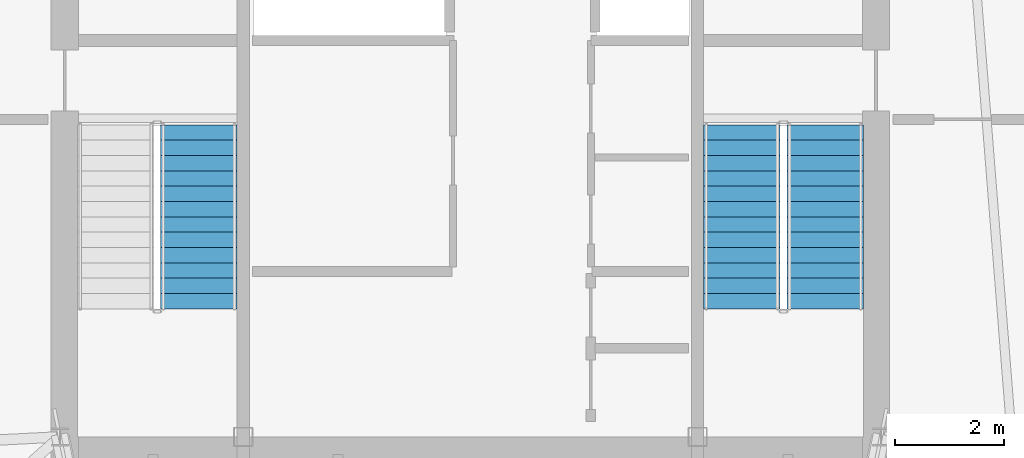
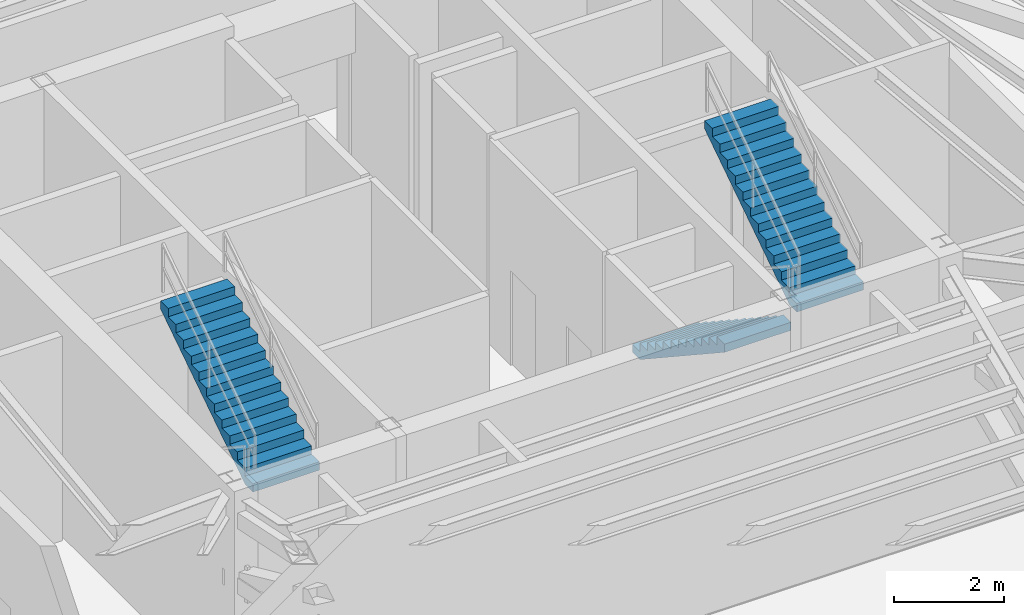
# One storey, part 7 of 10: 3 stair flights, 2 elements without a shape of their own.
"""IFC4 building model written with IfcOpenShell, lengths in metres."""

from ifc_helpers import new_model, si_unit, direction, frame, origin, place, context, subcontext, project, spatial, polyline, outline, extrude, material, type_object, element, aggregate, save


model = new_model("IFC4")

# Units and contexts
model_context = context("Model", 3, precision=1e-05, world=origin(), true_north=direction((0.0, 1.0)))
body_context = subcontext(model_context, "Body", "Model", "MODEL_VIEW")
ifc_project = project(units=[si_unit("LENGTHUNIT", "METRE"), si_unit("AREAUNIT", "SQUARE_METRE"), si_unit("VOLUMEUNIT", "CUBIC_METRE"), si_unit("PLANEANGLEUNIT", "RADIAN"), si_unit("MASSUNIT", "GRAM", prefix="KILO")], contexts=[model_context])

# Site, building, storey
site_placement = place(None, origin())
site = spatial("IfcSite", under=ifc_project, at=site_placement, CompositionType="ELEMENT")
building_placement = place(site_placement, origin())
building = spatial("IfcBuilding", under=site, at=building_placement, Name="Caelisora Broadcast Tower", CompositionType="ELEMENT")
storey_placement = place(building_placement, frame((0.0, 0.0, 220.550048828125)))
storey = spatial("IfcBuildingStorey", under=building, at=storey_placement, Name="L58", CompositionType="ELEMENT", Elevation=220.550048828125)

# Stair, stair flight
ifc_material = material(Name="Concrete 40 MPa (AS 3600 N40)", Category="concrete")
stair_type_1 = type_object("IfcStairType", Name="ST-1", PredefinedType="HALF_TURN_STAIR", material=ifc_material)
stair_1_placement = place(storey_placement, origin())
stair_1 = element("IfcStair", 1, at=stair_1_placement, inside=storey, type_object=stair_type_1, Name="L58 West Fire-Isolated Tower Stair", PredefinedType="HALF_TURN_STAIR")
stair_flight_type = type_object("IfcStairFlightType", Name="STF-3", PredefinedType="STRAIGHT", material=ifc_material)
stair_flight_1_placement = place(storey_placement, frame((33.0400390625, 19.739990234375, 2.39990234375), z_axis=(0.0, 0.0, 1.0), x_axis=(0.0, 1.0, 0.0)))
stair_flight_1 = element("IfcStairFlight", 2, at=stair_flight_1_placement, type_object=stair_flight_type, Name="ST-1 flight 2", NumberOfRisers=13, NumberOfTreads=12, PredefinedType="STRAIGHT", RiserHeight=0.184615385, TreadLength=0.28, context=body_context, shape_type="SweptSolid", body=[
    extrude(outline(polyline([(0.0, 0.0), (0.0, 0.1845703125), (0.280029296875, 0.1845703125), (0.280029296875, 0.369140625), (0.56005859375, 0.369140625), (0.56005859375, 0.553955078125), (0.840087890625, 0.553955078125), (0.840087890625, 0.738525390625), (1.1201171875, 0.738525390625), (1.1201171875, 0.923095703125), (1.39990234375, 0.923095703125), (1.39990234375, 1.107666015625), (1.679931640625, 1.107666015625), (1.679931640625, 1.292236328125), (1.9599609375, 1.292236328125), (1.9599609375, 1.476806640625), (2.239990234375, 1.476806640625), (2.239990234375, 1.66162109375), (2.52001953125, 1.66162109375), (2.52001953125, 1.84619140625), (2.800048828125, 1.84619140625), (2.800048828125, 2.03076171875), (3.080078125, 2.03076171875), (3.080078125, 2.21533203125), (3.360107421875, 2.21533203125), (3.360107421875, 2.39990234375), (3.360107421875, 2.035888671875), (0.272216796875, 0.0), (0.0, 0.0)])), frame((0.0, 0.699951171875, 0.0), z_axis=(0.0, -1.0, 0.0), x_axis=(1.0, 0.0, 0.0)), (0.0, 0.0, 1.0), 1.39990234375),
])
aggregate(stair_1, [stair_flight_1])

# Stair, stair flights
stair_type_2 = type_object("IfcStairType", Name="ST-2", PredefinedType="HALF_TURN_STAIR", material=ifc_material)
stair_2_placement = place(storey_placement, origin())
stair_2 = element("IfcStair", 3, at=stair_2_placement, inside=storey, type_object=stair_type_2, Name="L58 East Fire-Isolated Tower Stair", PredefinedType="HALF_TURN_STAIR")
stair_flight_2_placement = place(storey_placement, frame((42.9599609375, 23.10009765625, 0.0), z_axis=(0.0, 0.0, 1.0), x_axis=(0.0, -1.0, 0.0)))
stair_flight_2 = element("IfcStairFlight", 4, at=stair_flight_2_placement, type_object=stair_flight_type, Name="ST-2 flight 1", NumberOfRisers=13, NumberOfTreads=12, PredefinedType="STRAIGHT", RiserHeight=0.184615385, TreadLength=0.28, context=body_context, shape_type="SweptSolid", body=[
    extrude(outline(polyline([(0.0, 0.0), (0.0, 0.1845703125), (0.280029296875, 0.1845703125), (0.280029296875, 0.369140625), (0.56005859375, 0.369140625), (0.56005859375, 0.553955078125), (0.840087890625, 0.553955078125), (0.840087890625, 0.738525390625), (1.1201171875, 0.738525390625), (1.1201171875, 0.923095703125), (1.39990234375, 0.923095703125), (1.39990234375, 1.107666015625), (1.679931640625, 1.107666015625), (1.679931640625, 1.292236328125), (1.9599609375, 1.292236328125), (1.9599609375, 1.476806640625), (2.239990234375, 1.476806640625), (2.239990234375, 1.66162109375), (2.52001953125, 1.66162109375), (2.52001953125, 1.84619140625), (2.800048828125, 1.84619140625), (2.800048828125, 2.03076171875), (3.080078125, 2.03076171875), (3.080078125, 2.21533203125), (3.360107421875, 2.21533203125), (3.360107421875, 2.39990234375), (3.360107421875, 2.035888671875), (0.272216796875, 0.0), (0.0, 0.0)])), frame((0.0, 0.699951171875, 0.0), z_axis=(0.0, -1.0, 0.0), x_axis=(1.0, 0.0, 0.0)), (0.0, 0.0, 1.0), 1.39990234375),
])
stair_flight_3_placement = place(storey_placement, frame((44.47998046875, 19.739990234375, 2.39990234375), z_axis=(0.0, 0.0, 1.0), x_axis=(0.0, 1.0, 0.0)))
stair_flight_3 = element("IfcStairFlight", 5, at=stair_flight_3_placement, type_object=stair_flight_type, Name="ST-2 flight 2", NumberOfRisers=13, NumberOfTreads=12, PredefinedType="STRAIGHT", RiserHeight=0.184615385, TreadLength=0.28, context=body_context, shape_type="SweptSolid", body=[
    extrude(outline(polyline([(0.0, 0.0), (0.0, 0.1845703125), (0.280029296875, 0.1845703125), (0.280029296875, 0.369140625), (0.56005859375, 0.369140625), (0.56005859375, 0.553955078125), (0.840087890625, 0.553955078125), (0.840087890625, 0.738525390625), (1.1201171875, 0.738525390625), (1.1201171875, 0.923095703125), (1.39990234375, 0.923095703125), (1.39990234375, 1.107666015625), (1.679931640625, 1.107666015625), (1.679931640625, 1.292236328125), (1.9599609375, 1.292236328125), (1.9599609375, 1.476806640625), (2.239990234375, 1.476806640625), (2.239990234375, 1.66162109375), (2.52001953125, 1.66162109375), (2.52001953125, 1.84619140625), (2.800048828125, 1.84619140625), (2.800048828125, 2.03076171875), (3.080078125, 2.03076171875), (3.080078125, 2.21533203125), (3.360107421875, 2.21533203125), (3.360107421875, 2.39990234375), (3.360107421875, 2.035888671875), (0.272216796875, 0.0), (0.0, 0.0)])), frame((0.0, 0.699951171875, 0.0), z_axis=(0.0, -1.0, 0.0), x_axis=(1.0, 0.0, 0.0)), (0.0, 0.0, 1.0), 1.39990234375),
])
aggregate(stair_2, [stair_flight_2, stair_flight_3])

save(model, "model.ifc")
